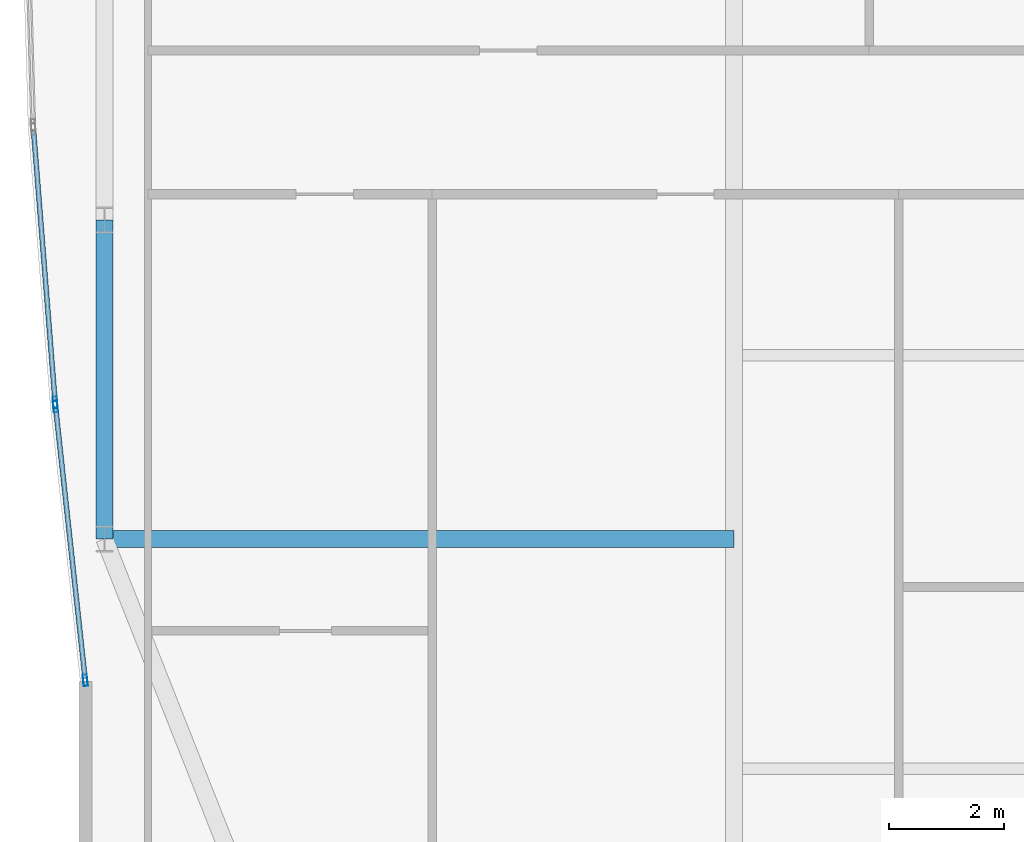
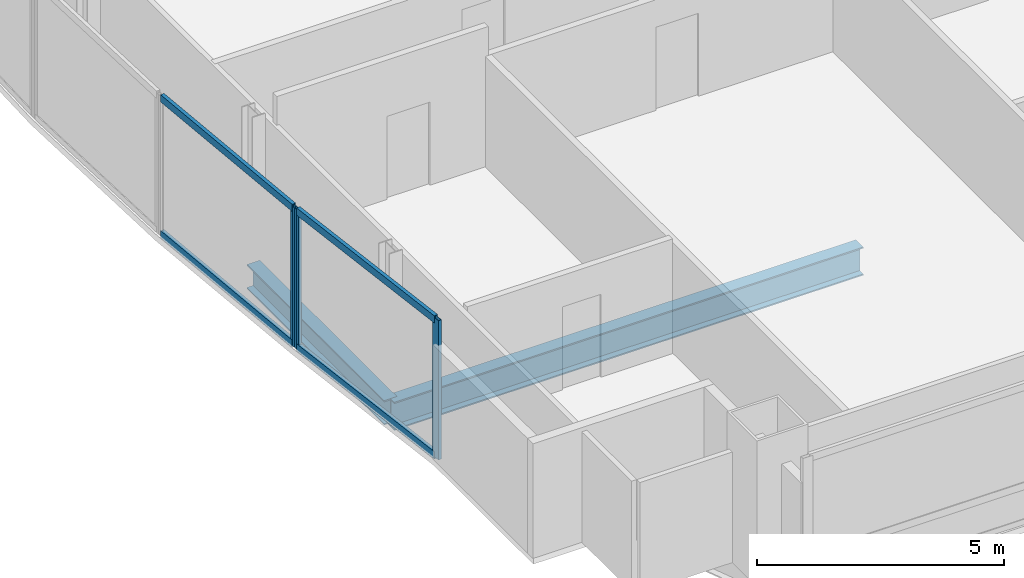
# One storey, part 6 of 32: 7 members, 2 beams, 2 elements without a shape of their own.
"""IFC4 building model written with IfcOpenShell, lengths in metres."""

from ifc_helpers import new_model, si_unit, direction, frame, origin, origin_2d, place, context, subcontext, project, spatial, hollow_rectangle, i_section, extrude, material, material_profile, profile_set, type_object, element, aggregate, save


model = new_model("IFC4")

# Units and contexts
model_context = context("Model", 3, precision=1e-05, world=origin(), true_north=direction((0.0, 1.0)))
body_context = subcontext(model_context, "Body", "Model", "MODEL_VIEW")
ifc_project = project(units=[si_unit("LENGTHUNIT", "METRE"), si_unit("AREAUNIT", "SQUARE_METRE"), si_unit("VOLUMEUNIT", "CUBIC_METRE"), si_unit("PLANEANGLEUNIT", "RADIAN"), si_unit("MASSUNIT", "GRAM", prefix="KILO")], contexts=[model_context])

# Site, building, storey
site_placement = place(None, origin())
site = spatial("IfcSite", under=ifc_project, at=site_placement, CompositionType="ELEMENT")
building_placement = place(site_placement, origin())
building = spatial("IfcBuilding", under=site, at=building_placement, Name="Khoronbel Lancet Exchange", CompositionType="ELEMENT")
storey_placement = place(building_placement, frame((0.0, 0.0, 192.199951171875)))
storey = spatial("IfcBuildingStorey", under=building, at=storey_placement, Name="L48", CompositionType="ELEMENT", Elevation=192.199951171875)

# Beams
ifc_material_1 = material(Name="Steel S355", Category="steel")
ifc_material_profile_1 = material_profile(ifc_material_1, i_section(OverallWidth=0.300048828125, OverallDepth=0.699951171875, WebThickness=0.01708984375, FlangeThickness=0.031982421875, at=origin_2d()), Name="HEB 700")
ifc_profile_set_1 = profile_set([ifc_material_profile_1], Name="Steel S355")
beam_type_1 = type_object("IfcBeamType", Name="BM-BG3", PredefinedType="BEAM", material=ifc_profile_set_1)
beam_1_placement = place(storey_placement, frame((7.27001953125, 19.199951171875, -0.510009765625), z_axis=(1.0, 0.0, 0.0), x_axis=(0.0, 1.0, 0.0)))
element("IfcBeam", 1, at=beam_1_placement, inside=storey, type_object=beam_type_1, Name="Level L48 west lens tie girder LG1W", PredefinedType="BEAM", context=body_context, shape_type="SweptSolid", body=[
    extrude(i_section(OverallWidth=0.300048828125, OverallDepth=0.699951171875, WebThickness=0.01708984375, FlangeThickness=0.031982421875, at=origin_2d()), origin(), (0.0, 0.0, 1.0), 10.955078125),
])
ifc_material_profile_2 = material_profile(ifc_material_1, i_section(OverallWidth=0.300048828125, OverallDepth=0.60009765625, WebThickness=0.015380859375, FlangeThickness=0.030029296875, at=origin_2d()), Name="HEB 600")
ifc_profile_set_2 = profile_set([ifc_material_profile_2], Name="Steel S355")
beam_type_2 = type_object("IfcBeamType", Name="BM-BSP2", PredefinedType="SPANDREL", material=ifc_profile_set_2)
beam_2_placement = place(storey_placement, frame((7.27001953125, 24.75, -0.4599609375), z_axis=(0.0, -1.0, 0.0), x_axis=(1.0, 0.0, 0.0)))
element("IfcBeam", 2, at=beam_2_placement, inside=storey, type_object=beam_type_2, Name="Level L48 perimeter spandrel beam SP20", PredefinedType="SPANDREL", context=body_context, shape_type="SweptSolid", body=[
    extrude(i_section(OverallWidth=0.300048828125, OverallDepth=0.60009765625, WebThickness=0.015380859375, FlangeThickness=0.030029296875, at=origin_2d()), origin(), (0.0, 0.0, 1.0), 5.550048828125),
])

# Curtain wall, members
ifc_material_2 = material(Name="Low-E Solar Control Insulating Glass", Category="glass")
curtain_wall_type = type_object("IfcCurtainWallType", Name="CW-4", PredefinedType="NOTDEFINED", material=ifc_material_2)
curtain_wall_1_placement = place(storey_placement, origin())
curtain_wall_1 = element("IfcCurtainWall", 3, at=curtain_wall_1_placement, inside=storey, type_object=curtain_wall_type, Name="Unitised curtain wall CW-L48-E04", PredefinedType="NOTDEFINED")
ifc_material_3 = material(Name="Bronze-Anodised Aluminium 6063-T6", Category="aluminium")
ifc_material_profile_3 = material_profile(ifc_material_3, hollow_rectangle(XDim=0.074951171875, YDim=0.199951171875, WallThickness=0.0048828125, at=origin_2d()), Name="ALU MULLION 75x200")
ifc_profile_set_3 = profile_set([ifc_material_profile_3], Name="Bronze-Anodised Aluminium 6063-T6")
member_type_1 = type_object("IfcMemberType", Name="MEM-CWM2", PredefinedType="MULLION", material=ifc_profile_set_3)
member_1_placement = place(storey_placement, frame((6.93603515625, 16.7421875, 0.0), z_axis=(0.0, 0.0, 1.0), x_axis=(-0.994151948799, -0.107990289834, 0.0)))
member_1 = element("IfcMember", 4, at=member_1_placement, type_object=member_type_1, Name="CW4 mullion 1", PredefinedType="MULLION", context=body_context, shape_type="SweptSolid", body=[
    extrude(hollow_rectangle(XDim=0.074951171875, YDim=0.199951171875, WallThickness=0.0048828125, at=origin_2d()), origin(), (0.0, 0.0, 1.0), 3.43994140625),
])
member_2_placement = place(storey_placement, frame((6.418701171875, 21.50439453125, 0.0), z_axis=(0.0, 0.0, 1.0), x_axis=(-0.994151948799, -0.107990289834, 0.0)))
member_2 = element("IfcMember", 5, at=member_2_placement, type_object=member_type_1, Name="CW4 mullion 2", PredefinedType="MULLION", context=body_context, shape_type="SweptSolid", body=[
    extrude(hollow_rectangle(XDim=0.074951171875, YDim=0.199951171875, WallThickness=0.0048828125, at=origin_2d()), origin(), (0.0, 0.0, 1.0), 3.43994140625),
])

# Curtain wall, member
curtain_wall_2_placement = place(storey_placement, origin())
curtain_wall_2 = element("IfcCurtainWall", 6, at=curtain_wall_2_placement, inside=storey, type_object=curtain_wall_type, Name="Unitised curtain wall CW-L48-E05", PredefinedType="NOTDEFINED")
member_3_placement = place(storey_placement, frame((6.41162109375, 21.5791015625, 0.0), z_axis=(0.0, 0.0, 1.0), x_axis=(-0.996854401909, -0.079254661653, 0.0)))
member_3 = element("IfcMember", 7, at=member_3_placement, type_object=member_type_1, Name="CW4 mullion 1", PredefinedType="MULLION", context=body_context, shape_type="SweptSolid", body=[
    extrude(hollow_rectangle(XDim=0.074951171875, YDim=0.199951171875, WallThickness=0.0048828125, at=origin_2d()), origin(), (0.0, 0.0, 1.0), 3.43994140625),
])

# Member
ifc_material_profile_4 = material_profile(ifc_material_3, hollow_rectangle(XDim=0.0849609375, YDim=0.179931640625, WallThickness=0.0048828125, at=origin_2d()), Name="ALU TRANSOM 85x180")
ifc_profile_set_4 = profile_set([ifc_material_profile_4], Name="Bronze-Anodised Aluminium 6063-T6")
member_type_2 = type_object("IfcMemberType", Name="MEM-CWT1", PredefinedType="USERDEFINED", material=ifc_profile_set_4)
member_4_placement = place(storey_placement, frame((6.931884765625, 16.779541015625, 0.04248046875), z_axis=(-0.108010231569, 0.994149782415, 0.0), x_axis=(-0.994149782415, -0.108010231569, 0.0)))
member_4 = element("IfcMember", 8, at=member_4_placement, type_object=member_type_2, Name="CW4 transom 1.1", ObjectType="TRANSOM", PredefinedType="USERDEFINED", context=body_context, shape_type="SweptSolid", body=[
    extrude(hollow_rectangle(XDim=0.0849609375, YDim=0.179931640625, WallThickness=0.0048828125, at=origin_2d()), origin(), (0.0, 0.0, 1.0), 4.715087890625),
])

member_5_placement = place(storey_placement, frame((6.931884765625, 16.779541015625, 3.3974609375), z_axis=(-0.108010231569, 0.994149782415, 0.0), x_axis=(-0.994149782415, -0.108010231569, 0.0)))
member_5 = element("IfcMember", 9, at=member_5_placement, type_object=member_type_2, Name="CW4 transom 1.2", ObjectType="TRANSOM", PredefinedType="USERDEFINED", context=body_context, shape_type="SweptSolid", body=[
    extrude(hollow_rectangle(XDim=0.0849609375, YDim=0.179931640625, WallThickness=0.0048828125, at=origin_2d()), origin(), (0.0, 0.0, 1.0), 4.715087890625),
])

aggregate(curtain_wall_1, [member_1, member_2, member_4, member_5])

member_6_placement = place(storey_placement, frame((6.40869140625, 21.616455078125, 0.04248046875), z_axis=(-0.079245071744, 0.996855164306, 0.0), x_axis=(-0.996855164306, -0.079245071744, 0.0)))
member_6 = element("IfcMember", 10, at=member_6_placement, type_object=member_type_2, Name="CW4 transom 1.1", ObjectType="TRANSOM", PredefinedType="USERDEFINED", context=body_context, shape_type="SweptSolid", body=[
    extrude(hollow_rectangle(XDim=0.0849609375, YDim=0.179931640625, WallThickness=0.0048828125, at=origin_2d()), origin(), (0.0, 0.0, 1.0), 4.695068359375),
])

member_7_placement = place(storey_placement, frame((6.40869140625, 21.616455078125, 3.3974609375), z_axis=(-0.079245071744, 0.996855164306, 0.0), x_axis=(-0.996855164306, -0.079245071744, 0.0)))
member_7 = element("IfcMember", 11, at=member_7_placement, type_object=member_type_2, Name="CW4 transom 1.2", ObjectType="TRANSOM", PredefinedType="USERDEFINED", context=body_context, shape_type="SweptSolid", body=[
    extrude(hollow_rectangle(XDim=0.0849609375, YDim=0.179931640625, WallThickness=0.0048828125, at=origin_2d()), origin(), (0.0, 0.0, 1.0), 4.695068359375),
])

aggregate(curtain_wall_2, [member_3, member_6, member_7])

save(model, "model.ifc")
